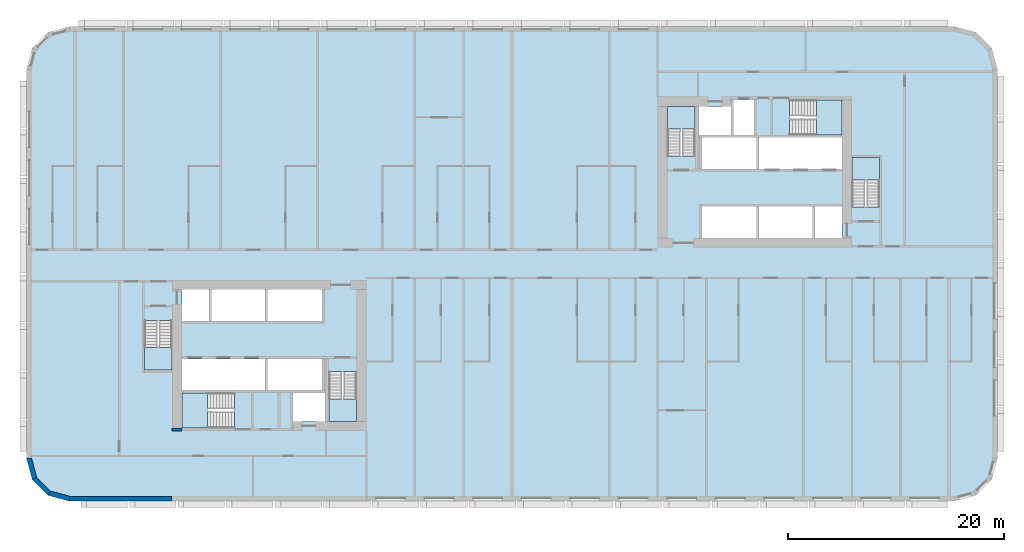
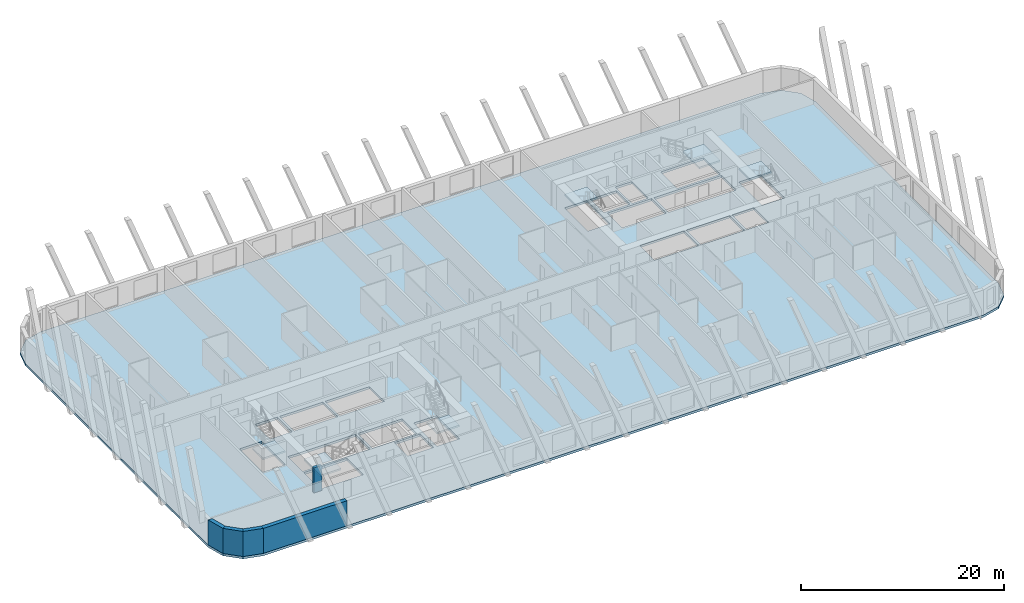
# One storey, part 1 of 13: 7 slabs, 5 walls, 6 elements without a shape of their own.
"""IFC4 building model written with IfcOpenShell, lengths in metres."""

from ifc_helpers import new_model, si_unit, direction, frame, frame_2d, origin, place, context, subcontext, project, spatial, polyline, rectangle, outline, extrude, material, layer, layer_set, type_object, element, aggregate, save


model = new_model("IFC4")

# Units and contexts
model_context = context("Model", 3, precision=1e-05, world=origin(), true_north=direction((0.0, 1.0)))
body_context = subcontext(model_context, "Body", "Model", "MODEL_VIEW")
ifc_project = project(units=[si_unit("LENGTHUNIT", "METRE"), si_unit("AREAUNIT", "SQUARE_METRE"), si_unit("VOLUMEUNIT", "CUBIC_METRE"), si_unit("PLANEANGLEUNIT", "RADIAN"), si_unit("MASSUNIT", "GRAM", prefix="KILO")], contexts=[model_context])

# Site, building, storey
site_placement = place(None, origin())
site = spatial("IfcSite", under=ifc_project, at=site_placement, CompositionType="ELEMENT")
building_placement = place(site_placement, origin())
building = spatial("IfcBuilding", under=site, at=building_placement, Name="Kajstack Hotel Tower", CompositionType="ELEMENT")
storey_placement = place(building_placement, frame((0.0, 0.0, 79.800048828125)))
storey = spatial("IfcBuildingStorey", under=building, at=storey_placement, Name="L15", CompositionType="ELEMENT", Elevation=79.800048828125)

# Slab
ifc_material_1 = material(Name="Concrete C40/50", Category="concrete")
ifc_layer_1 = layer(ifc_material_1, 0.280029296875)
ifc_layer_set_1 = layer_set([ifc_layer_1], Name="RC slab 280 C40/50 guest")
slab_type_1 = type_object("IfcSlabType", Name="RC slab 280 C40/50 guest", PredefinedType="FLOOR", material=ifc_layer_set_1)
slab_1_placement = place(storey_placement, frame((0.0, 0.0, -0.280029296875)))
element("IfcSlab", 1, at=slab_1_placement, inside=storey, type_object=slab_type_1, Name="S-slab-L15", PredefinedType="FLOOR", context=body_context, shape_type="SweptSolid", body=[
    extrude(outline(polyline([(-45.0, -18.0), (-44.464111328125, -20.0), (-43.0, -21.464111328125), (-41.0, -22.0), (41.0, -22.0), (43.0, -21.464111328125), (44.464111328125, -20.0), (45.0, -18.0), (45.0, 18.0), (44.464111328125, 20.0), (43.0, 21.464111328125), (41.0, 22.0), (-41.0, 22.0), (-43.0, 21.464111328125), (-44.464111328125, 20.0), (-45.0, 18.0), (-45.0, -18.0)]), holes=[polyline([(-30.60009765625, -11.699951171875), (-30.60009765625, -8.800048828125), (-22.89990234375, -8.800048828125), (-22.89990234375, -11.699951171875), (-30.60009765625, -11.699951171875)]), polyline([(-22.64990234375, -11.699951171875), (-22.64990234375, -8.800048828125), (-17.60009765625, -8.800048828125), (-17.60009765625, -11.699951171875), (-22.64990234375, -11.699951171875)]), polyline([(-27.85009765625, -5.300048828125), (-27.85009765625, -2.39990234375), (-22.89990234375, -2.39990234375), (-22.89990234375, -5.300048828125), (-27.85009765625, -5.300048828125)]), polyline([(-22.64990234375, -5.300048828125), (-22.64990234375, -2.39990234375), (-17.60009765625, -2.39990234375), (-17.60009765625, -5.300048828125), (-22.64990234375, -5.300048828125)]), polyline([(-20.300048828125, -14.60009765625), (-17.35009765625, -14.60009765625), (-17.35009765625, -11.949951171875), (-20.300048828125, -11.949951171875), (-20.300048828125, -14.60009765625)]), polyline([(-30.60009765625, -5.300048828125), (-28.10009765625, -5.300048828125), (-28.10009765625, -2.39990234375), (-30.60009765625, -2.39990234375), (-30.60009765625, -5.300048828125)]), polyline([(22.89990234375, 8.800048828125), (22.89990234375, 11.699951171875), (30.60009765625, 11.699951171875), (30.60009765625, 8.800048828125), (22.89990234375, 8.800048828125)]), polyline([(17.60009765625, 8.800048828125), (17.60009765625, 11.699951171875), (22.64990234375, 11.699951171875), (22.64990234375, 8.800048828125), (17.60009765625, 8.800048828125)]), polyline([(22.89990234375, 2.39990234375), (22.89990234375, 5.300048828125), (27.85009765625, 5.300048828125), (27.85009765625, 2.39990234375), (22.89990234375, 2.39990234375)]), polyline([(17.60009765625, 2.39990234375), (17.60009765625, 5.300048828125), (22.64990234375, 5.300048828125), (22.64990234375, 2.39990234375), (17.60009765625, 2.39990234375)]), polyline([(20.300048828125, 14.60009765625), (17.35009765625, 14.60009765625), (17.35009765625, 11.949951171875), (20.300048828125, 11.949951171875), (20.300048828125, 14.60009765625)]), polyline([(30.60009765625, 5.300048828125), (28.10009765625, 5.300048828125), (28.10009765625, 2.39990234375), (30.60009765625, 2.39990234375), (30.60009765625, 5.300048828125)]), polyline([(-34.050048828125, -9.85009765625), (-31.5, -9.85009765625), (-31.5, -5.25), (-34.050048828125, -5.25), (-34.050048828125, -9.85009765625)]), polyline([(-16.949951171875, -14.60009765625), (-14.39990234375, -14.60009765625), (-14.39990234375, -10.0), (-16.949951171875, -10.0), (-16.949951171875, -14.60009765625)]), polyline([(-30.60009765625, -15.199951171875), (-25.699951171875, -15.199951171875), (-25.699951171875, -11.949951171875), (-30.60009765625, -11.949951171875), (-30.60009765625, -15.199951171875)]), polyline([(34.050048828125, 9.85009765625), (31.5, 9.85009765625), (31.5, 5.25), (34.050048828125, 5.25), (34.050048828125, 9.85009765625)]), polyline([(16.949951171875, 14.60009765625), (14.39990234375, 14.60009765625), (14.39990234375, 10.0), (16.949951171875, 10.0), (16.949951171875, 14.60009765625)]), polyline([(30.60009765625, 15.199951171875), (25.699951171875, 15.199951171875), (25.699951171875, 11.949951171875), (30.60009765625, 11.949951171875), (30.60009765625, 15.199951171875)]), polyline([(22.425048828125, 15.199951171875), (22.425048828125, 11.949951171875), (20.550048828125, 11.949951171875), (20.550048828125, 15.199951171875), (22.425048828125, 15.199951171875)])]), origin(), (0.0, 0.0, 1.0), 0.280029296875),
])

# Stair, slab
stair_type_1 = type_object("IfcStairType", Name="Exit stair 1200", PredefinedType="HALF_TURN_STAIR", material=ifc_material_1)
stair_1_placement = place(storey_placement, origin())
stair_1 = element("IfcStair", 2, at=stair_1_placement, inside=storey, type_object=stair_type_1, Name="L15 stair W1", PredefinedType="HALF_TURN_STAIR")
ifc_layer_2 = layer(ifc_material_1, 0.199951171875)
ifc_layer_set_2 = layer_set([ifc_layer_2], Name="Stair landing 200")
slab_type_2 = type_object("IfcSlabType", Name="Stair landing 200", PredefinedType="LANDING", material=ifc_layer_set_2)
slab_2_placement = place(storey_placement, frame((0.0, 0.0, 1.449951171875)))
slab_2 = element("IfcSlab", 3, at=slab_2_placement, type_object=slab_type_2, Name="W1 landing 1", PredefinedType="LANDING", context=body_context, shape_type="SweptSolid", body=[
    extrude(outline(polyline([(-34.050048828125, -7.77001953125), (-34.050048828125, -9.85009765625), (-31.5, -9.85009765625), (-31.5, -7.77001953125), (-34.050048828125, -7.77001953125)])), origin(), (0.0, 0.0, 1.0), 0.199951171875),
])
aggregate(stair_1, [slab_2])

stair_2_placement = place(storey_placement, origin())
stair_2 = element("IfcStair", 4, at=stair_2_placement, inside=storey, type_object=stair_type_1, Name="L15 stair W2", PredefinedType="HALF_TURN_STAIR")
slab_3_placement = place(storey_placement, frame((0.0, 0.0, 1.449951171875)))
slab_3 = element("IfcSlab", 5, at=slab_3_placement, type_object=slab_type_2, Name="W2 landing 1", PredefinedType="LANDING", context=body_context, shape_type="SweptSolid", body=[
    extrude(outline(polyline([(-16.949951171875, -12.52001953125), (-16.949951171875, -14.60009765625), (-14.39990234375, -14.60009765625), (-14.39990234375, -12.52001953125), (-16.949951171875, -12.52001953125)])), origin(), (0.0, 0.0, 1.0), 0.199951171875),
])
aggregate(stair_2, [slab_3])

stair_type_2 = type_object("IfcStairType", Name="Exit stair 1500", PredefinedType="HALF_TURN_STAIR", material=ifc_material_1)
stair_3_placement = place(storey_placement, origin())
stair_3 = element("IfcStair", 6, at=stair_3_placement, inside=storey, type_object=stair_type_2, Name="L15 stair W3", PredefinedType="HALF_TURN_STAIR")
slab_4_placement = place(storey_placement, frame((0.0, 0.0, 1.449951171875)))
slab_4 = element("IfcSlab", 7, at=slab_4_placement, type_object=slab_type_2, Name="W3 landing 1", PredefinedType="LANDING", context=body_context, shape_type="SweptSolid", body=[
    extrude(outline(polyline([(-28.219970703125, -11.949951171875), (-30.60009765625, -11.949951171875), (-30.60009765625, -15.199951171875), (-28.219970703125, -15.199951171875), (-28.219970703125, -11.949951171875)])), origin(), (0.0, 0.0, 1.0), 0.199951171875),
])
aggregate(stair_3, [slab_4])

stair_4_placement = place(storey_placement, origin())
stair_4 = element("IfcStair", 8, at=stair_4_placement, inside=storey, type_object=stair_type_1, Name="L15 stair E1", PredefinedType="HALF_TURN_STAIR")
slab_5_placement = place(storey_placement, frame((0.0, 0.0, 1.449951171875)))
slab_5 = element("IfcSlab", 9, at=slab_5_placement, type_object=slab_type_2, Name="E1 landing 1", PredefinedType="LANDING", context=body_context, shape_type="SweptSolid", body=[
    extrude(outline(polyline([(34.050048828125, 7.77001953125), (34.050048828125, 9.85009765625), (31.5, 9.85009765625), (31.5, 7.77001953125), (34.050048828125, 7.77001953125)])), origin(), (0.0, 0.0, 1.0), 0.199951171875),
])
aggregate(stair_4, [slab_5])

stair_5_placement = place(storey_placement, origin())
stair_5 = element("IfcStair", 10, at=stair_5_placement, inside=storey, type_object=stair_type_1, Name="L15 stair E2", PredefinedType="HALF_TURN_STAIR")
slab_6_placement = place(storey_placement, frame((0.0, 0.0, 1.449951171875)))
slab_6 = element("IfcSlab", 11, at=slab_6_placement, type_object=slab_type_2, Name="E2 landing 1", PredefinedType="LANDING", context=body_context, shape_type="SweptSolid", body=[
    extrude(outline(polyline([(16.949951171875, 12.52001953125), (16.949951171875, 14.60009765625), (14.39990234375, 14.60009765625), (14.39990234375, 12.52001953125), (16.949951171875, 12.52001953125)])), origin(), (0.0, 0.0, 1.0), 0.199951171875),
])
aggregate(stair_5, [slab_6])

stair_6_placement = place(storey_placement, origin())
stair_6 = element("IfcStair", 12, at=stair_6_placement, inside=storey, type_object=stair_type_2, Name="L15 stair E3", PredefinedType="HALF_TURN_STAIR")
slab_7_placement = place(storey_placement, frame((0.0, 0.0, 1.449951171875)))
slab_7 = element("IfcSlab", 13, at=slab_7_placement, type_object=slab_type_2, Name="E3 landing 1", PredefinedType="LANDING", context=body_context, shape_type="SweptSolid", body=[
    extrude(outline(polyline([(28.219970703125, 11.949951171875), (30.60009765625, 11.949951171875), (30.60009765625, 15.199951171875), (28.219970703125, 15.199951171875), (28.219970703125, 11.949951171875)])), origin(), (0.0, 0.0, 1.0), 0.199951171875),
])
aggregate(stair_6, [slab_7])

# Walls
ifc_material_2 = material(Name="Concrete C60/75", Category="concrete")
ifc_layer_3 = layer(ifc_material_2, 0.89990234375)
ifc_layer_set_3 = layer_set([ifc_layer_3], Name="Core wall 900")
wall_type_1 = type_object("IfcWallType", Name="Core wall 900", PredefinedType="SHEAR", material=ifc_layer_set_3)
wall_1_placement = place(storey_placement, frame((-31.5, -15.35009765625, 0.0), z_axis=(0.0, 0.0, 1.0), x_axis=(1.0, 0.0, 0.0)))
element("IfcWall", 14, at=wall_1_placement, inside=storey, type_object=wall_type_1, Name="Core wall W RSW", PredefinedType="SHEAR", context=body_context, shape_type="SweptSolid", body=[
    extrude(rectangle(XDim=0.89990234375, YDim=0.300048828125, at=frame_2d((0.449951171875, 0.0))), origin(), (0.0, 0.0, 1.0), 3.02001953125),
])
ifc_material_3 = material(Name="Terracotta-faced brick masonry", Category="masonry")
ifc_layer_4 = layer(ifc_material_3, 0.449951171875)
ifc_layer_set_4 = layer_set([ifc_layer_4], Name="EW-TERRA")
wall_type_2 = type_object("IfcWallType", Name="EW-TERRA", PredefinedType="SOLIDWALL", material=ifc_layer_set_4)
wall_2_placement = place(storey_placement, frame((-44.78271484375, -17.941650390625, 0.0), z_axis=(0.0, 0.0, 1.0), x_axis=(0.25881466832, -0.965926999034, 0.0)))
element("IfcWall", 15, at=wall_2_placement, inside=storey, type_object=wall_type_2, Name="E-wall-L15-00-00", PredefinedType="SOLIDWALL", context=body_context, shape_type="SweptSolid", body=[
    extrude(outline(polyline([(0.000244140625, -0.22509765625), (2.070556640625, -0.224853515625), (1.9501953125, 0.22509765625), (0.12060546875, 0.22509765625), (0.000244140625, -0.22509765625)])), origin(), (0.0, 0.0, 1.0), 3.02001953125),
])
wall_3_placement = place(storey_placement, frame((-44.304931640625, -19.8408203125, 0.0), z_axis=(0.0, 0.0, 1.0), x_axis=(0.707106781187, -0.707106781187, 0.0)))
element("IfcWall", 16, at=wall_3_placement, inside=storey, type_object=wall_type_2, Name="E-wall-L15-01-00", PredefinedType="SOLIDWALL", context=body_context, shape_type="SweptSolid", body=[
    extrude(outline(polyline([(0.0, -0.22509765625), (2.070556640625, -0.22509765625), (1.949951171875, 0.224853515625), (0.12060546875, 0.224853515625), (0.0, -0.22509765625)])), origin(), (0.0, 0.0, 1.0), 3.02001953125),
])
wall_4_placement = place(storey_placement, frame((-42.941650390625, -21.246826171875, 0.0), z_axis=(0.0, 0.0, 1.0), x_axis=(0.965926999034, -0.25881466832, 0.0)))
element("IfcWall", 17, at=wall_4_placement, inside=storey, type_object=wall_type_2, Name="E-wall-L15-02-00", PredefinedType="SOLIDWALL", context=body_context, shape_type="SweptSolid", body=[
    extrude(outline(polyline([(-0.000244140625, -0.224853515625), (2.0703125, -0.22509765625), (1.949951171875, 0.22509765625), (0.120361328125, 0.22509765625), (-0.000244140625, -0.224853515625)])), origin(), (0.0, 0.0, 1.0), 3.02001953125),
])
wall_5_placement = place(storey_placement, frame((-41.0, -21.77490234375, 0.0), z_axis=(0.0, 0.0, 1.0), x_axis=(1.0, 0.0, 0.0)))
element("IfcWall", 18, at=wall_5_placement, inside=storey, type_object=wall_type_2, Name="E-wall-L15-03-00", PredefinedType="SOLIDWALL", context=body_context, shape_type="SweptSolid", body=[
    extrude(rectangle(XDim=9.5, YDim=0.449951171875, at=frame_2d((4.75, 0.0))), origin(), (0.0, 0.0, 1.0), 3.02001953125),
])

save(model, "model.ifc")
